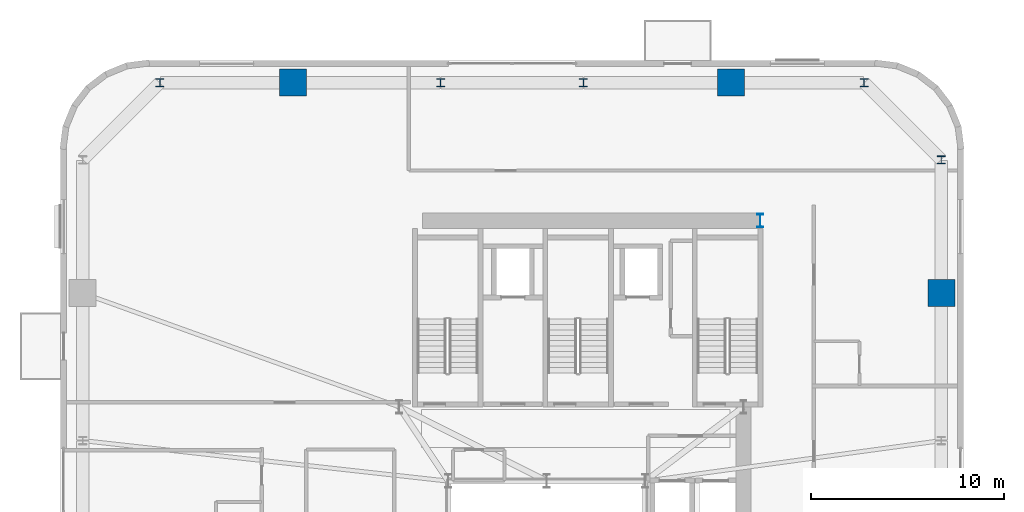
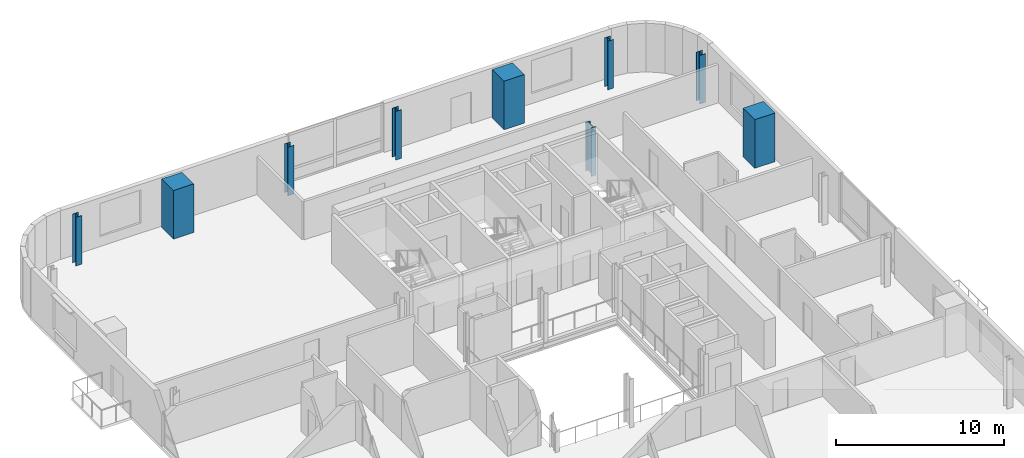
# One storey, part 2 of 16: 9 columns.
"""IFC4 building model written with IfcOpenShell, lengths in metres."""

from ifc_helpers import new_model, si_unit, direction, frame, origin, origin_2d, place, context, subcontext, project, spatial, rectangle, i_section, extrude, source, transform, mapped, material, material_profile, profile_set, type_object, element, save


model = new_model("IFC4")

# Units and contexts
model_context = context("Model", 3, precision=1e-05, world=origin(), true_north=direction((0.0, 1.0)))
body_context = subcontext(model_context, "Body", "Model", "MODEL_VIEW")
ifc_project = project(units=[si_unit("LENGTHUNIT", "METRE"), si_unit("AREAUNIT", "SQUARE_METRE"), si_unit("VOLUMEUNIT", "CUBIC_METRE"), si_unit("PLANEANGLEUNIT", "RADIAN"), si_unit("MASSUNIT", "GRAM", prefix="KILO")], contexts=[model_context])

# Site, building, storey
site_placement = place(None, origin())
site = spatial("IfcSite", under=ifc_project, at=site_placement, CompositionType="ELEMENT")
building_placement = place(site_placement, origin())
building = spatial("IfcBuilding", under=site, at=building_placement, Name="Vardaveli Station Tower", CompositionType="ELEMENT")
storey_placement = place(building_placement, frame((0.0, 0.0, 203.550048828125)))
storey = spatial("IfcBuildingStorey", under=building, at=storey_placement, Name="L52", CompositionType="ELEMENT", Elevation=203.550048828125)

# Columns
ifc_material_1 = material(Name="Structural steel S460M", Category="steel")
ifc_material_profile_1 = material_profile(ifc_material_1, i_section(OverallWidth=0.300048828125, OverallDepth=0.699951171875, WebThickness=0.01708984375, FlangeThickness=0.031982421875, FilletRadius=0.027099609375, at=origin_2d()), Name="HEB 700")
ifc_profile_set_1 = profile_set([ifc_material_profile_1], Name="Structural steel S460M")
column_type_1 = type_object("IfcColumnType", Name="COL-HEB700", PredefinedType="COLUMN", material=ifc_profile_set_1)
shared_shape_1 = source(origin(), body_context, "Body", "SweptSolid", [
    extrude(i_section(OverallWidth=0.300048828125, OverallDepth=0.699951171875, WebThickness=0.01708984375, FlangeThickness=0.031982421875, FilletRadius=0.027099609375, at=origin_2d()), origin(), (0.0, 0.0, 1.0), 3.530029296875),
])
column_placement = place(storey_placement, frame((47.3701171875, 40.300048828125, 0.0), z_axis=(0.0, 0.0, 1.0), x_axis=(1.0, 0.0, 0.0)))
element("IfcColumn", 1, at=column_placement, inside=storey, type_object=column_type_1, Name="COL-L52-CC3", PredefinedType="COLUMN", context=body_context, shape_type="MappedRepresentation", body=[
    mapped(shared_shape_1, transform((0.0, 0.0, 0.0), scale=1.0)),
])
ifc_material_2 = material(Name="Concrete C50/60", Category="concrete")
ifc_material_profile_2 = material_profile(ifc_material_2, rectangle(XDim=1.39990234375, YDim=1.39990234375, at=origin_2d()), Name="MC 1400x1400")
ifc_profile_set_2 = profile_set([ifc_material_profile_2], Name="Concrete C50/60")
column_type_2 = type_object("IfcColumnType", Name="COL-MC-1400", PredefinedType="COLUMN", material=ifc_profile_set_2)
shared_shape_2 = source(origin(), body_context, "Body", "SweptSolid", [
    extrude(rectangle(XDim=1.39990234375, YDim=1.39990234375, at=origin_2d()), origin(), (0.0, 0.0, 1.0), 3.530029296875),
])
for number, where, z_axis, x_axis, name in (
    (2, (56.75, 36.5400390625, 0.0), (0.0, 0.0, 1.0), (1.0, 0.0, 0.0), "COL-L52-MC4"),
    (3, (45.840087890625, 47.449951171875, 0.0), (0.0, 0.0, 1.0), (1.0, 0.0, 0.0), "COL-L52-MC5"),
    (4, (23.159912109375, 47.449951171875, 0.0), (0.0, 0.0, 1.0), (1.0, 0.0, 0.0), "COL-L52-MC6"),
):
    element("IfcColumn", number, at=place(storey_placement, frame(where, z_axis=z_axis, x_axis=x_axis)), inside=storey, type_object=column_type_2, Name=name, PredefinedType="COLUMN", context=body_context, shape_type="MappedRepresentation", body=[
        mapped(shared_shape_2, transform((0.0, 0.0, 0.0), scale=1.0)),
    ])
ifc_material_profile_3 = material_profile(ifc_material_1, i_section(OverallWidth=0.408935546875, OverallDepth=0.4169921875, WebThickness=0.021240234375, FlangeThickness=0.033203125, FilletRadius=0.014892578125, at=origin_2d()), Name="HD 400x347")
ifc_profile_set_3 = profile_set([ifc_material_profile_3], Name="Structural steel S460M")
column_type_3 = type_object("IfcColumnType", Name="COL-HD347", PredefinedType="COLUMN", material=ifc_profile_set_3)
shared_shape_3 = source(origin(), body_context, "Body", "SweptSolid", [
    extrude(i_section(OverallWidth=0.408935546875, OverallDepth=0.4169921875, WebThickness=0.021240234375, FlangeThickness=0.033203125, FilletRadius=0.014892578125, at=origin_2d()), origin(), (0.0, 0.0, 1.0), 3.530029296875),
])
for number, where, z_axis, x_axis, name in (
    (5, (56.75, 43.449951171875, 0.0), (0.0, 0.0, 1.0), (1.0, 0.0, 0.0), "COL-L52-PC08"),
    (6, (52.75, 47.449951171875, 0.0), (0.0, 0.0, 1.0), (1.0, 0.0, 0.0), "COL-L52-PC09"),
    (7, (38.199951171875, 47.449951171875, 0.0), (0.0, 0.0, 1.0), (1.0, 0.0, 0.0), "COL-L52-PC10"),
    (8, (30.800048828125, 47.449951171875, 0.0), (0.0, 0.0, 1.0), (1.0, 0.0, 0.0), "COL-L52-PC11"),
    (9, (16.25, 47.449951171875, 0.0), (0.0, 0.0, 1.0), (1.0, 0.0, 0.0), "COL-L52-PC12"),
):
    element("IfcColumn", number, at=place(storey_placement, frame(where, z_axis=z_axis, x_axis=x_axis)), inside=storey, type_object=column_type_3, Name=name, PredefinedType="COLUMN", context=body_context, shape_type="MappedRepresentation", body=[
        mapped(shared_shape_3, transform((0.0, 0.0, 0.0), scale=1.0)),
    ])

save(model, "model.ifc")
